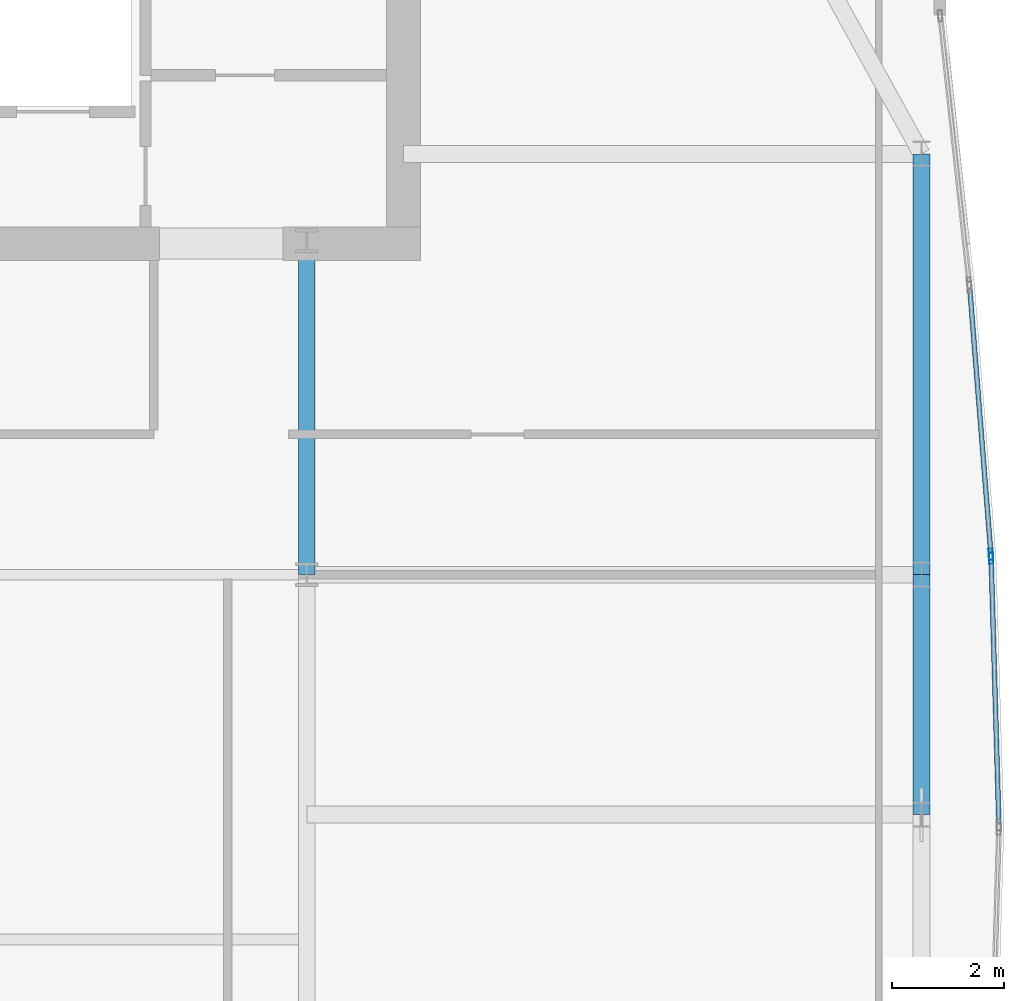
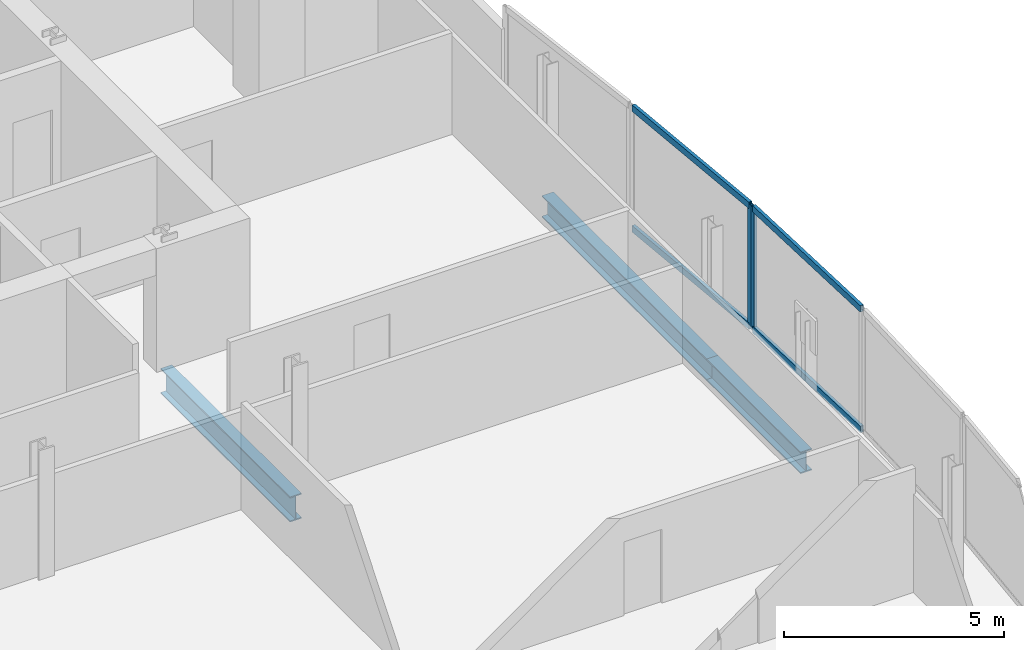
# One storey, part 21 of 32: 6 members, 3 beams, 2 elements without a shape of their own.
"""IFC4 building model written with IfcOpenShell, lengths in metres."""

from ifc_helpers import new_model, si_unit, direction, frame, origin, origin_2d, place, context, subcontext, project, spatial, hollow_rectangle, i_section, extrude, material, material_profile, profile_set, type_object, element, aggregate, save


model = new_model("IFC4")

# Units and contexts
model_context = context("Model", 3, precision=1e-05, world=origin(), true_north=direction((0.0, 1.0)))
body_context = subcontext(model_context, "Body", "Model", "MODEL_VIEW")
ifc_project = project(units=[si_unit("LENGTHUNIT", "METRE"), si_unit("AREAUNIT", "SQUARE_METRE"), si_unit("VOLUMEUNIT", "CUBIC_METRE"), si_unit("PLANEANGLEUNIT", "RADIAN"), si_unit("MASSUNIT", "GRAM", prefix="KILO")], contexts=[model_context])

# Site, building, storey
site_placement = place(None, origin())
site = spatial("IfcSite", under=ifc_project, at=site_placement, CompositionType="ELEMENT")
building_placement = place(site_placement, origin())
building = spatial("IfcBuilding", under=site, at=building_placement, Name="Khoronbel Lancet Exchange", CompositionType="ELEMENT")
storey_placement = place(building_placement, frame((0.0, 0.0, 195.800048828125)))
storey = spatial("IfcBuildingStorey", under=building, at=storey_placement, Name="L49", CompositionType="ELEMENT", Elevation=195.800048828125)

# Beams
ifc_material_1 = material(Name="Steel S355", Category="steel")
ifc_material_profile_1 = material_profile(ifc_material_1, i_section(OverallWidth=0.300048828125, OverallDepth=0.699951171875, WebThickness=0.01708984375, FlangeThickness=0.031982421875, at=origin_2d()), Name="HEB 700")
ifc_profile_set_1 = profile_set([ifc_material_profile_1], Name="Steel S355")
beam_type_1 = type_object("IfcBeamType", Name="BM-BG3", PredefinedType="BEAM", material=ifc_profile_set_1)
beam_1_placement = place(storey_placement, frame((54.675048828125, 35.699951171875, -0.510009765625), z_axis=(0.0, 1.0, 0.0), x_axis=(-1.0, 0.0, 0.0)))
element("IfcBeam", 1, at=beam_1_placement, inside=storey, type_object=beam_type_1, Name="Level L49 spine tie girder GN6", PredefinedType="BEAM", context=body_context, shape_type="SweptSolid", body=[
    extrude(i_section(OverallWidth=0.300048828125, OverallDepth=0.699951171875, WebThickness=0.01708984375, FlangeThickness=0.031982421875, at=origin_2d()), origin(), (0.0, 0.0, 1.0), 5.900146484375),
])
ifc_material_profile_2 = material_profile(ifc_material_1, i_section(OverallWidth=0.300048828125, OverallDepth=0.60009765625, WebThickness=0.015380859375, FlangeThickness=0.030029296875, at=origin_2d()), Name="HEB 600")
ifc_profile_set_2 = profile_set([ifc_material_profile_2], Name="Steel S355")
beam_type_2 = type_object("IfcBeamType", Name="BM-BSP2", PredefinedType="SPANDREL", material=ifc_profile_set_2)
beam_2_placement = place(storey_placement, frame((65.6298828125, 31.425048828125, -0.4599609375), z_axis=(0.0, 1.0, 0.0), x_axis=(-1.0, 0.0, 0.0)))
element("IfcBeam", 2, at=beam_2_placement, inside=storey, type_object=beam_type_2, Name="Level L49 perimeter spandrel beam SP13", PredefinedType="SPANDREL", context=body_context, shape_type="SweptSolid", body=[
    extrude(i_section(OverallWidth=0.300048828125, OverallDepth=0.60009765625, WebThickness=0.015380859375, FlangeThickness=0.030029296875, at=origin_2d()), origin(), (0.0, 0.0, 1.0), 4.27490234375),
])
beam_3_placement = place(storey_placement, frame((65.6298828125, 35.699951171875, -0.4599609375), z_axis=(0.0, 1.0, 0.0), x_axis=(-1.0, 0.0, 0.0)))
element("IfcBeam", 3, at=beam_3_placement, inside=storey, type_object=beam_type_2, Name="Level L49 perimeter spandrel beam SP14", PredefinedType="SPANDREL", context=body_context, shape_type="SweptSolid", body=[
    extrude(i_section(OverallWidth=0.300048828125, OverallDepth=0.60009765625, WebThickness=0.015380859375, FlangeThickness=0.030029296875, at=origin_2d()), origin(), (0.0, 0.0, 1.0), 7.5),
])

# Curtain wall, member
ifc_material_2 = material(Name="Low-E Solar Control Insulating Glass", Category="glass")
curtain_wall_type = type_object("IfcCurtainWallType", Name="CW-4", PredefinedType="NOTDEFINED", material=ifc_material_2)
curtain_wall_1_placement = place(storey_placement, origin())
curtain_wall_1 = element("IfcCurtainWall", 4, at=curtain_wall_1_placement, inside=storey, type_object=curtain_wall_type, Name="Unitised curtain wall CW-L49-E18", PredefinedType="NOTDEFINED")
ifc_material_3 = material(Name="Bronze-Anodised Aluminium 6063-T6", Category="aluminium")
ifc_material_profile_3 = material_profile(ifc_material_3, hollow_rectangle(XDim=0.074951171875, YDim=0.199951171875, WallThickness=0.0048828125, at=origin_2d()), Name="ALU MULLION 75x200")
ifc_profile_set_3 = profile_set([ifc_material_profile_3], Name="Bronze-Anodised Aluminium 6063-T6")
member_type_1 = type_object("IfcMemberType", Name="MEM-CWM2", PredefinedType="MULLION", material=ifc_profile_set_3)
member_1_placement = place(storey_placement, frame((66.866455078125, 36.065673828125, 0.0), z_axis=(0.0, 0.0, 1.0), x_axis=(0.996854401909, 0.079254661653, 0.0)))
member_1 = element("IfcMember", 5, at=member_1_placement, type_object=member_type_1, Name="CW4 mullion 2", PredefinedType="MULLION", context=body_context, shape_type="SweptSolid", body=[
    extrude(hollow_rectangle(XDim=0.074951171875, YDim=0.199951171875, WallThickness=0.0048828125, at=origin_2d()), origin(), (0.0, 0.0, 1.0), 3.43994140625),
])

curtain_wall_2_placement = place(storey_placement, origin())
curtain_wall_2 = element("IfcCurtainWall", 6, at=curtain_wall_2_placement, inside=storey, type_object=curtain_wall_type, Name="Unitised curtain wall CW-L49-E19", PredefinedType="NOTDEFINED")
member_2_placement = place(storey_placement, frame((66.87060546875, 35.990966796875, 0.0), z_axis=(0.0, 0.0, 1.0), x_axis=(0.999576300376, 0.029107039142, 0.0)))
member_2 = element("IfcMember", 7, at=member_2_placement, type_object=member_type_1, Name="CW4 mullion 1", PredefinedType="MULLION", context=body_context, shape_type="SweptSolid", body=[
    extrude(hollow_rectangle(XDim=0.074951171875, YDim=0.199951171875, WallThickness=0.0048828125, at=origin_2d()), origin(), (0.0, 0.0, 1.0), 3.43994140625),
])

# Member
ifc_material_profile_4 = material_profile(ifc_material_3, hollow_rectangle(XDim=0.0849609375, YDim=0.179931640625, WallThickness=0.0048828125, at=origin_2d()), Name="ALU TRANSOM 85x180")
ifc_profile_set_4 = profile_set([ifc_material_profile_4], Name="Bronze-Anodised Aluminium 6063-T6")
member_type_2 = type_object("IfcMemberType", Name="MEM-CWT1", PredefinedType="USERDEFINED", material=ifc_profile_set_4)
member_3_placement = place(storey_placement, frame((66.491455078125, 40.783447265625, 0.04248046875), z_axis=(0.079249179589, -0.996854837744, 0.0), x_axis=(0.996854837744, 0.079249179589, 0.0)))
member_3 = element("IfcMember", 8, at=member_3_placement, type_object=member_type_2, Name="CW4 transom 1.1", ObjectType="TRANSOM", PredefinedType="USERDEFINED", context=body_context, shape_type="SweptSolid", body=[
    extrude(hollow_rectangle(XDim=0.0849609375, YDim=0.179931640625, WallThickness=0.0048828125, at=origin_2d()), origin(), (0.0, 0.0, 1.0), 4.69482421875),
])

member_4_placement = place(storey_placement, frame((66.491455078125, 40.783447265625, 3.3974609375), z_axis=(0.079249179589, -0.996854837744, 0.0), x_axis=(0.996854837744, 0.079249179589, 0.0)))
member_4 = element("IfcMember", 9, at=member_4_placement, type_object=member_type_2, Name="CW4 transom 1.2", ObjectType="TRANSOM", PredefinedType="USERDEFINED", context=body_context, shape_type="SweptSolid", body=[
    extrude(hollow_rectangle(XDim=0.0849609375, YDim=0.179931640625, WallThickness=0.0048828125, at=origin_2d()), origin(), (0.0, 0.0, 1.0), 4.69482421875),
])

aggregate(curtain_wall_1, [member_1, member_3, member_4])

member_5_placement = place(storey_placement, frame((66.87158203125, 35.953369140625, 0.04248046875), z_axis=(0.029106277096, -0.999576322566, 0.0), x_axis=(0.999576322566, 0.029106277096, 0.0)))
member_5 = element("IfcMember", 10, at=member_5_placement, type_object=member_type_2, Name="CW4 transom 1.1", ObjectType="TRANSOM", PredefinedType="USERDEFINED", context=body_context, shape_type="SweptSolid", body=[
    extrude(hollow_rectangle(XDim=0.0849609375, YDim=0.179931640625, WallThickness=0.0048828125, at=origin_2d()), origin(), (0.0, 0.0, 1.0), 4.680419921875),
])

member_6_placement = place(storey_placement, frame((66.87158203125, 35.953369140625, 3.3974609375), z_axis=(0.029106277096, -0.999576322566, 0.0), x_axis=(0.999576322566, 0.029106277096, 0.0)))
member_6 = element("IfcMember", 11, at=member_6_placement, type_object=member_type_2, Name="CW4 transom 1.2", ObjectType="TRANSOM", PredefinedType="USERDEFINED", context=body_context, shape_type="SweptSolid", body=[
    extrude(hollow_rectangle(XDim=0.0849609375, YDim=0.179931640625, WallThickness=0.0048828125, at=origin_2d()), origin(), (0.0, 0.0, 1.0), 4.680419921875),
])

aggregate(curtain_wall_2, [member_2, member_5, member_6])

save(model, "model.ifc")
